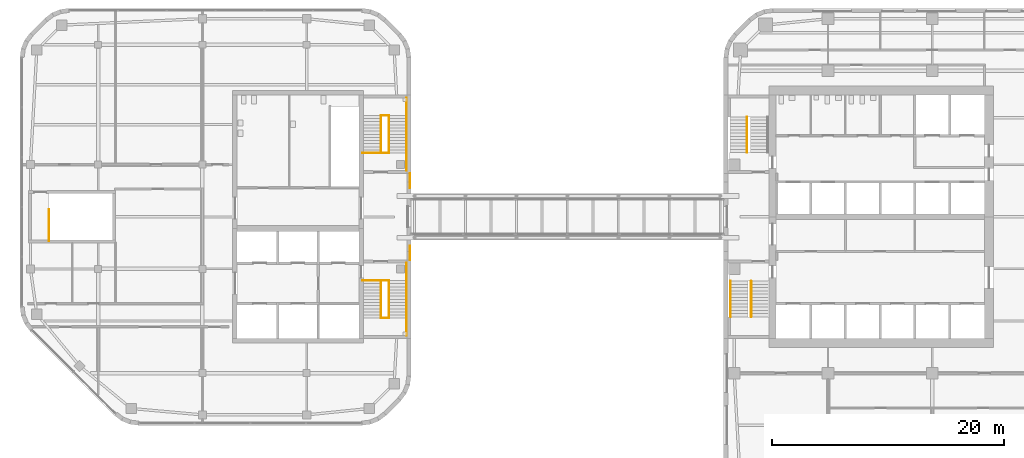
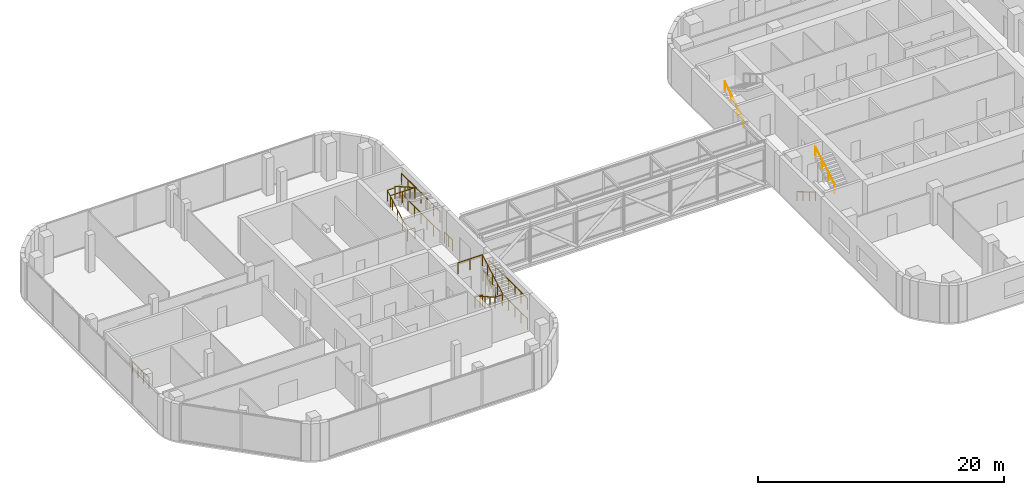
# One storey, part 19 of 21: 20 railings, 2 elements without a shape of their own.
"""IFC4 building model written with IfcOpenShell, lengths in metres."""

from ifc_helpers import new_model, si_unit, direction, frame, origin, origin_2d, place, context, subcontext, project, spatial, circle, extrude, material, type_object, element, aggregate, save


model = new_model("IFC4")

# Units and contexts
model_context = context("Model", 3, precision=1e-05, world=origin(), true_north=direction((0.0, 1.0)))
body_context = subcontext(model_context, "Body", "Model", "MODEL_VIEW")
ifc_project = project(units=[si_unit("LENGTHUNIT", "METRE"), si_unit("AREAUNIT", "SQUARE_METRE"), si_unit("VOLUMEUNIT", "CUBIC_METRE"), si_unit("PLANEANGLEUNIT", "RADIAN"), si_unit("MASSUNIT", "GRAM", prefix="KILO")], contexts=[model_context])

# Site, building, storey
site_placement = place(None, origin())
site = spatial("IfcSite", under=ifc_project, at=site_placement, CompositionType="ELEMENT")
building_placement = place(site_placement, origin())
building = spatial("IfcBuilding", under=site, at=building_placement, Name="Cinnabar Reach Civic Tower", CompositionType="ELEMENT")
storey_placement = place(building_placement, frame((0.0, 0.0, 140.0)))
storey = spatial("IfcBuildingStorey", under=building, at=storey_placement, Name="L33", CompositionType="ELEMENT", Elevation=140.0)

# Stair, railings
ifc_material_1 = material(Name="Concrete C40/50", Category="concrete")
stair_type = type_object("IfcStairType", Name="T1 Exit stair, half-turn", PredefinedType="HALF_TURN_STAIR", material=ifc_material_1)
stair_1_placement = place(storey_placement, origin())
stair_1 = element("IfcStair", 1, at=stair_1_placement, inside=storey, type_object=stair_type, Name="Stair T1-S1", PredefinedType="HALF_TURN_STAIR")
ifc_material_2 = material(Name="Stainless steel tube", Category="steel")
railing_type_1 = type_object("IfcRailingType", Name="T1 Stair handrail, stainless tube 48", PredefinedType="HANDRAIL", material=ifc_material_2)
railing_1_placement = place(storey_placement, frame((0.6, 25.95, 0.1667)))
railing_1 = element("IfcRailing", 2, at=railing_1_placement, type_object=railing_type_1, Name="T1-S1 handrail 1", PredefinedType="HANDRAIL", context=body_context, shape_type="SweptSolid", body=[
    extrude(circle(Radius=0.024, at=origin_2d()), frame((0.0, 0.0, 0.876), z_axis=(0.0, -0.859296971757, 0.511476992962), x_axis=(1.0, 0.0, 0.0)), (0.0, 0.0, 1.0), 3.5843),
    extrude(circle(Radius=0.021, at=origin_2d()), origin(), (0.0, 0.0, 1.0), 0.852),
    extrude(circle(Radius=0.021, at=origin_2d()), frame((0.0, -1.0267, 0.6111)), (0.0, 0.0, 1.0), 0.852),
    extrude(circle(Radius=0.021, at=origin_2d()), frame((0.0, -2.0533, 1.2222)), (0.0, 0.0, 1.0), 0.852),
    extrude(circle(Radius=0.021, at=origin_2d()), frame((0.0, -3.08, 1.8333)), (0.0, 0.0, 1.0), 0.852),
])
railing_2_placement = place(storey_placement, frame((2.375, 22.87, 2.1667)))
railing_2 = element("IfcRailing", 3, at=railing_2_placement, type_object=railing_type_1, Name="T1-S1 handrail 2", PredefinedType="HANDRAIL", context=body_context, shape_type="SweptSolid", body=[
    extrude(circle(Radius=0.024, at=origin_2d()), frame((0.0, 0.0, 0.876), z_axis=(0.0, 0.859296971757, 0.511476992962), x_axis=(-1.0, 0.0, 0.0)), (0.0, 0.0, 1.0), 3.5843),
    extrude(circle(Radius=0.021, at=origin_2d()), origin(), (0.0, 0.0, 1.0), 0.852),
    extrude(circle(Radius=0.021, at=origin_2d()), frame((0.0, 1.0267, 0.6111)), (0.0, 0.0, 1.0), 0.852),
    extrude(circle(Radius=0.021, at=origin_2d()), frame((0.0, 2.0533, 1.2222)), (0.0, 0.0, 1.0), 0.852),
    extrude(circle(Radius=0.021, at=origin_2d()), frame((0.0, 3.08, 1.8333)), (0.0, 0.0, 1.0), 0.852),
])
aggregate(stair_1, [railing_1, railing_2])

# Stair, railing
stair_2_placement = place(storey_placement, origin())
stair_2 = element("IfcStair", 4, at=stair_2_placement, inside=storey, type_object=stair_type, Name="Stair T1-S2", PredefinedType="HALF_TURN_STAIR")
railing_3_placement = place(storey_placement, frame((2.025, 37.05, 0.1667)))
railing_3 = element("IfcRailing", 5, at=railing_3_placement, type_object=railing_type_1, Name="T1-S2 handrail 1", PredefinedType="HANDRAIL", context=body_context, shape_type="SweptSolid", body=[
    extrude(circle(Radius=0.024, at=origin_2d()), frame((0.0, 0.0, 0.876), z_axis=(0.0, 0.859296971757, 0.511476992962), x_axis=(-1.0, 0.0, 0.0)), (0.0, 0.0, 1.0), 3.5843),
    extrude(circle(Radius=0.021, at=origin_2d()), origin(), (0.0, 0.0, 1.0), 0.852),
    extrude(circle(Radius=0.021, at=origin_2d()), frame((0.0, 1.0267, 0.6111)), (0.0, 0.0, 1.0), 0.852),
    extrude(circle(Radius=0.021, at=origin_2d()), frame((0.0, 2.0533, 1.2222)), (0.0, 0.0, 1.0), 0.852),
    extrude(circle(Radius=0.021, at=origin_2d()), frame((0.0, 3.08, 1.8333)), (0.0, 0.0, 1.0), 0.852),
])
aggregate(stair_2, [railing_3])

# Railings
ifc_material_3 = material(Name="Stainless steel", Category="steel")
railing_type_2 = type_object("IfcRailingType", Name="T2 Stair guard 1100", PredefinedType="GUARDRAIL", material=ifc_material_3)
for number, where, name in (
    (6, (-27.1, 27.75, 0.0), "Corridor end guard"),
    (7, (-27.1, 34.0, 0.0), "Corridor end guard"),
):
    element("IfcRailing", number, at=place(storey_placement, frame(where)), inside=storey, type_object=railing_type_2, Name=name, PredefinedType="GUARDRAIL", context=body_context, shape_type="SweptSolid", body=[
        extrude(circle(Radius=0.024, at=origin_2d()), frame((0.0, 0.0, 1.076), z_axis=(0.0, 1.0, 0.0), x_axis=(-1.0, 0.0, 0.0)), (0.0, 0.0, 1.0), 1.25),
        extrude(circle(Radius=0.021, at=origin_2d()), origin(), (0.0, 0.0, 1.0), 1.052),
        extrude(circle(Radius=0.021, at=origin_2d()), frame((0.0, 0.625, 0.0)), (0.0, 0.0, 1.0), 1.052),
        extrude(circle(Radius=0.021, at=origin_2d()), frame((0.0, 1.25, 0.0)), (0.0, 0.0, 1.0), 1.052),
    ])
for number, where, name in (
    (8, (-27.4, 21.25, 0.0), "Stair guard 1"),
    (9, (-27.4, 21.25, 2.0), "Stair guard 1"),
):
    element("IfcRailing", number, at=place(storey_placement, frame(where)), inside=storey, type_object=railing_type_2, Name=name, PredefinedType="GUARDRAIL", context=body_context, shape_type="SweptSolid", body=[
        extrude(circle(Radius=0.024, at=origin_2d()), frame((0.0, 0.0, 1.076), z_axis=(0.0, 1.0, 0.0), x_axis=(-1.0, 0.0, 0.0)), (0.0, 0.0, 1.0), 6.25),
        extrude(circle(Radius=0.021, at=origin_2d()), origin(), (0.0, 0.0, 1.0), 1.052),
        extrude(circle(Radius=0.021, at=origin_2d()), frame((0.0, 1.0417, 0.0)), (0.0, 0.0, 1.0), 1.052),
        extrude(circle(Radius=0.021, at=origin_2d()), frame((0.0, 2.0833, 0.0)), (0.0, 0.0, 1.0), 1.052),
        extrude(circle(Radius=0.021, at=origin_2d()), frame((0.0, 3.125, 0.0)), (0.0, 0.0, 1.0), 1.052),
        extrude(circle(Radius=0.021, at=origin_2d()), frame((0.0, 4.1667, 0.0)), (0.0, 0.0, 1.0), 1.052),
        extrude(circle(Radius=0.021, at=origin_2d()), frame((0.0, 5.2083, 0.0)), (0.0, 0.0, 1.0), 1.052),
        extrude(circle(Radius=0.021, at=origin_2d()), frame((0.0, 6.25, 0.0)), (0.0, 0.0, 1.0), 1.052),
    ])
for number, where, name in (
    (10, (-29.6, 26.0, 0.0), "Stair guard 1"),
    (11, (-29.6, 22.75, 2.0), "Stair guard 1"),
):
    element("IfcRailing", number, at=place(storey_placement, frame(where)), inside=storey, type_object=railing_type_2, Name=name, PredefinedType="GUARDRAIL", context=body_context, shape_type="SweptSolid", body=[
        extrude(circle(Radius=0.024, at=origin_2d()), frame((0.0, 0.0, 1.076), z_axis=(1.0, 0.0, 0.0), x_axis=(0.0, 1.0, 0.0)), (0.0, 0.0, 1.0), 0.7),
        extrude(circle(Radius=0.021, at=origin_2d()), origin(), (0.0, 0.0, 1.0), 1.052),
        extrude(circle(Radius=0.021, at=origin_2d()), frame((0.7, 0.0, 0.0)), (0.0, 0.0, 1.0), 1.052),
    ])
railing_4_placement = place(storey_placement, frame((-29.6, 26.0, 0.1538)))
element("IfcRailing", 12, at=railing_4_placement, inside=storey, type_object=railing_type_2, Name="Stair guard 1", PredefinedType="GUARDRAIL", context=body_context, shape_type="SweptSolid", body=[
    extrude(circle(Radius=0.024, at=origin_2d()), frame((0.0, 0.0, 1.076), z_axis=(0.0, -0.869501474428, 0.493930345258), x_axis=(1.0, 0.0, 0.0)), (0.0, 0.0, 1.0), 3.7378),
    extrude(circle(Radius=0.021, at=origin_2d()), origin(), (0.0, 0.0, 1.0), 1.052),
    extrude(circle(Radius=0.021, at=origin_2d()), frame((0.0, -0.8125, 0.4616)), (0.0, 0.0, 1.0), 1.052),
    extrude(circle(Radius=0.021, at=origin_2d()), frame((0.0, -1.625, 0.9231)), (0.0, 0.0, 1.0), 1.052),
    extrude(circle(Radius=0.021, at=origin_2d()), frame((0.0, -2.4375, 1.3847)), (0.0, 0.0, 1.0), 1.052),
    extrude(circle(Radius=0.021, at=origin_2d()), frame((0.0, -3.25, 1.8462)), (0.0, 0.0, 1.0), 1.052),
])
railing_5_placement = place(storey_placement, frame((-28.9, 22.75, 2.1538)))
element("IfcRailing", 13, at=railing_5_placement, inside=storey, type_object=railing_type_2, Name="Stair guard 1", PredefinedType="GUARDRAIL", context=body_context, shape_type="SweptSolid", body=[
    extrude(circle(Radius=0.024, at=origin_2d()), frame((0.0, 0.0, 1.076), z_axis=(0.0, 0.869501474428, 0.493930345258), x_axis=(-1.0, 0.0, 0.0)), (0.0, 0.0, 1.0), 3.7378),
    extrude(circle(Radius=0.021, at=origin_2d()), origin(), (0.0, 0.0, 1.0), 1.052),
    extrude(circle(Radius=0.021, at=origin_2d()), frame((0.0, 0.8125, 0.4616)), (0.0, 0.0, 1.0), 1.052),
    extrude(circle(Radius=0.021, at=origin_2d()), frame((0.0, 1.625, 0.9231)), (0.0, 0.0, 1.0), 1.052),
    extrude(circle(Radius=0.021, at=origin_2d()), frame((0.0, 2.4375, 1.3847)), (0.0, 0.0, 1.0), 1.052),
    extrude(circle(Radius=0.021, at=origin_2d()), frame((0.0, 3.25, 1.8462)), (0.0, 0.0, 1.0), 1.052),
])
railing_6_placement = place(storey_placement, frame((-31.2, 26.0, 4.0)))
element("IfcRailing", 14, at=railing_6_placement, inside=storey, type_object=railing_type_2, Name="Stair guard 1", PredefinedType="GUARDRAIL", context=body_context, shape_type="SweptSolid", body=[
    extrude(circle(Radius=0.024, at=origin_2d()), frame((0.0, 0.0, 1.076), z_axis=(1.0, 0.0, 0.0), x_axis=(0.0, 1.0, 0.0)), (0.0, 0.0, 1.0), 2.3),
    extrude(circle(Radius=0.021, at=origin_2d()), origin(), (0.0, 0.0, 1.0), 1.052),
    extrude(circle(Radius=0.021, at=origin_2d()), frame((1.15, 0.0, 0.0)), (0.0, 0.0, 1.0), 1.052),
    extrude(circle(Radius=0.021, at=origin_2d()), frame((2.3, 0.0, 0.0)), (0.0, 0.0, 1.0), 1.052),
])
for number, where, name in (
    (15, (-27.4, 35.5, 0.0), "Stair guard 2"),
    (16, (-27.4, 35.5, 2.0), "Stair guard 2"),
):
    element("IfcRailing", number, at=place(storey_placement, frame(where)), inside=storey, type_object=railing_type_2, Name=name, PredefinedType="GUARDRAIL", context=body_context, shape_type="SweptSolid", body=[
        extrude(circle(Radius=0.024, at=origin_2d()), frame((0.0, 0.0, 1.076), z_axis=(0.0, 1.0, 0.0), x_axis=(-1.0, 0.0, 0.0)), (0.0, 0.0, 1.0), 6.25),
        extrude(circle(Radius=0.021, at=origin_2d()), origin(), (0.0, 0.0, 1.0), 1.052),
        extrude(circle(Radius=0.021, at=origin_2d()), frame((0.0, 1.0417, 0.0)), (0.0, 0.0, 1.0), 1.052),
        extrude(circle(Radius=0.021, at=origin_2d()), frame((0.0, 2.0833, 0.0)), (0.0, 0.0, 1.0), 1.052),
        extrude(circle(Radius=0.021, at=origin_2d()), frame((0.0, 3.125, 0.0)), (0.0, 0.0, 1.0), 1.052),
        extrude(circle(Radius=0.021, at=origin_2d()), frame((0.0, 4.1667, 0.0)), (0.0, 0.0, 1.0), 1.052),
        extrude(circle(Radius=0.021, at=origin_2d()), frame((0.0, 5.2083, 0.0)), (0.0, 0.0, 1.0), 1.052),
        extrude(circle(Radius=0.021, at=origin_2d()), frame((0.0, 6.25, 0.0)), (0.0, 0.0, 1.0), 1.052),
    ])
for number, where, name in (
    (17, (-29.6, 37.0, 0.0), "Stair guard 2"),
    (18, (-29.6, 40.25, 2.0), "Stair guard 2"),
):
    element("IfcRailing", number, at=place(storey_placement, frame(where)), inside=storey, type_object=railing_type_2, Name=name, PredefinedType="GUARDRAIL", context=body_context, shape_type="SweptSolid", body=[
        extrude(circle(Radius=0.024, at=origin_2d()), frame((0.0, 0.0, 1.076), z_axis=(1.0, 0.0, 0.0), x_axis=(0.0, 1.0, 0.0)), (0.0, 0.0, 1.0), 0.7),
        extrude(circle(Radius=0.021, at=origin_2d()), origin(), (0.0, 0.0, 1.0), 1.052),
        extrude(circle(Radius=0.021, at=origin_2d()), frame((0.7, 0.0, 0.0)), (0.0, 0.0, 1.0), 1.052),
    ])
railing_7_placement = place(storey_placement, frame((-29.6, 37.0, 0.1538)))
element("IfcRailing", 19, at=railing_7_placement, inside=storey, type_object=railing_type_2, Name="Stair guard 2", PredefinedType="GUARDRAIL", context=body_context, shape_type="SweptSolid", body=[
    extrude(circle(Radius=0.024, at=origin_2d()), frame((0.0, 0.0, 1.076), z_axis=(0.0, 0.869501474428, 0.493930345258), x_axis=(-1.0, 0.0, 0.0)), (0.0, 0.0, 1.0), 3.7378),
    extrude(circle(Radius=0.021, at=origin_2d()), origin(), (0.0, 0.0, 1.0), 1.052),
    extrude(circle(Radius=0.021, at=origin_2d()), frame((0.0, 0.8125, 0.4616)), (0.0, 0.0, 1.0), 1.052),
    extrude(circle(Radius=0.021, at=origin_2d()), frame((0.0, 1.625, 0.9231)), (0.0, 0.0, 1.0), 1.052),
    extrude(circle(Radius=0.021, at=origin_2d()), frame((0.0, 2.4375, 1.3847)), (0.0, 0.0, 1.0), 1.052),
    extrude(circle(Radius=0.021, at=origin_2d()), frame((0.0, 3.25, 1.8462)), (0.0, 0.0, 1.0), 1.052),
])
railing_8_placement = place(storey_placement, frame((-28.9, 40.25, 2.1538)))
element("IfcRailing", 20, at=railing_8_placement, inside=storey, type_object=railing_type_2, Name="Stair guard 2", PredefinedType="GUARDRAIL", context=body_context, shape_type="SweptSolid", body=[
    extrude(circle(Radius=0.024, at=origin_2d()), frame((0.0, 0.0, 1.076), z_axis=(0.0, -0.869501474428, 0.493930345258), x_axis=(1.0, 0.0, 0.0)), (0.0, 0.0, 1.0), 3.7378),
    extrude(circle(Radius=0.021, at=origin_2d()), origin(), (0.0, 0.0, 1.0), 1.052),
    extrude(circle(Radius=0.021, at=origin_2d()), frame((0.0, -0.8125, 0.4616)), (0.0, 0.0, 1.0), 1.052),
    extrude(circle(Radius=0.021, at=origin_2d()), frame((0.0, -1.625, 0.9231)), (0.0, 0.0, 1.0), 1.052),
    extrude(circle(Radius=0.021, at=origin_2d()), frame((0.0, -2.4375, 1.3847)), (0.0, 0.0, 1.0), 1.052),
    extrude(circle(Radius=0.021, at=origin_2d()), frame((0.0, -3.25, 1.8462)), (0.0, 0.0, 1.0), 1.052),
])
railing_9_placement = place(storey_placement, frame((-31.2, 37.0, 4.0)))
element("IfcRailing", 21, at=railing_9_placement, inside=storey, type_object=railing_type_2, Name="Stair guard 2", PredefinedType="GUARDRAIL", context=body_context, shape_type="SweptSolid", body=[
    extrude(circle(Radius=0.024, at=origin_2d()), frame((0.0, 0.0, 1.076), z_axis=(1.0, 0.0, 0.0), x_axis=(0.0, 1.0, 0.0)), (0.0, 0.0, 1.0), 2.3),
    extrude(circle(Radius=0.021, at=origin_2d()), origin(), (0.0, 0.0, 1.0), 1.052),
    extrude(circle(Radius=0.021, at=origin_2d()), frame((1.15, 0.0, 0.0)), (0.0, 0.0, 1.0), 1.052),
    extrude(circle(Radius=0.021, at=origin_2d()), frame((2.3, 0.0, 0.0)), (0.0, 0.0, 1.0), 1.052),
])
railing_10_placement = place(storey_placement, frame((-58.25, 29.425, 0.0)))
element("IfcRailing", 22, at=railing_10_placement, inside=storey, type_object=railing_type_2, Name="Stair guard 3", PredefinedType="GUARDRAIL", context=body_context, shape_type="SweptSolid", body=[
    extrude(circle(Radius=0.024, at=origin_2d()), frame((0.0, 0.0, 1.076), z_axis=(0.0, 1.0, 0.0), x_axis=(-1.0, 0.0, 0.0)), (0.0, 0.0, 1.0), 2.7),
    extrude(circle(Radius=0.021, at=origin_2d()), origin(), (0.0, 0.0, 1.0), 1.052),
    extrude(circle(Radius=0.021, at=origin_2d()), frame((0.0, 0.9, 0.0)), (0.0, 0.0, 1.0), 1.052),
    extrude(circle(Radius=0.021, at=origin_2d()), frame((0.0, 1.8, 0.0)), (0.0, 0.0, 1.0), 1.052),
    extrude(circle(Radius=0.021, at=origin_2d()), frame((0.0, 2.7, 0.0)), (0.0, 0.0, 1.0), 1.052),
])

save(model, "model.ifc")
